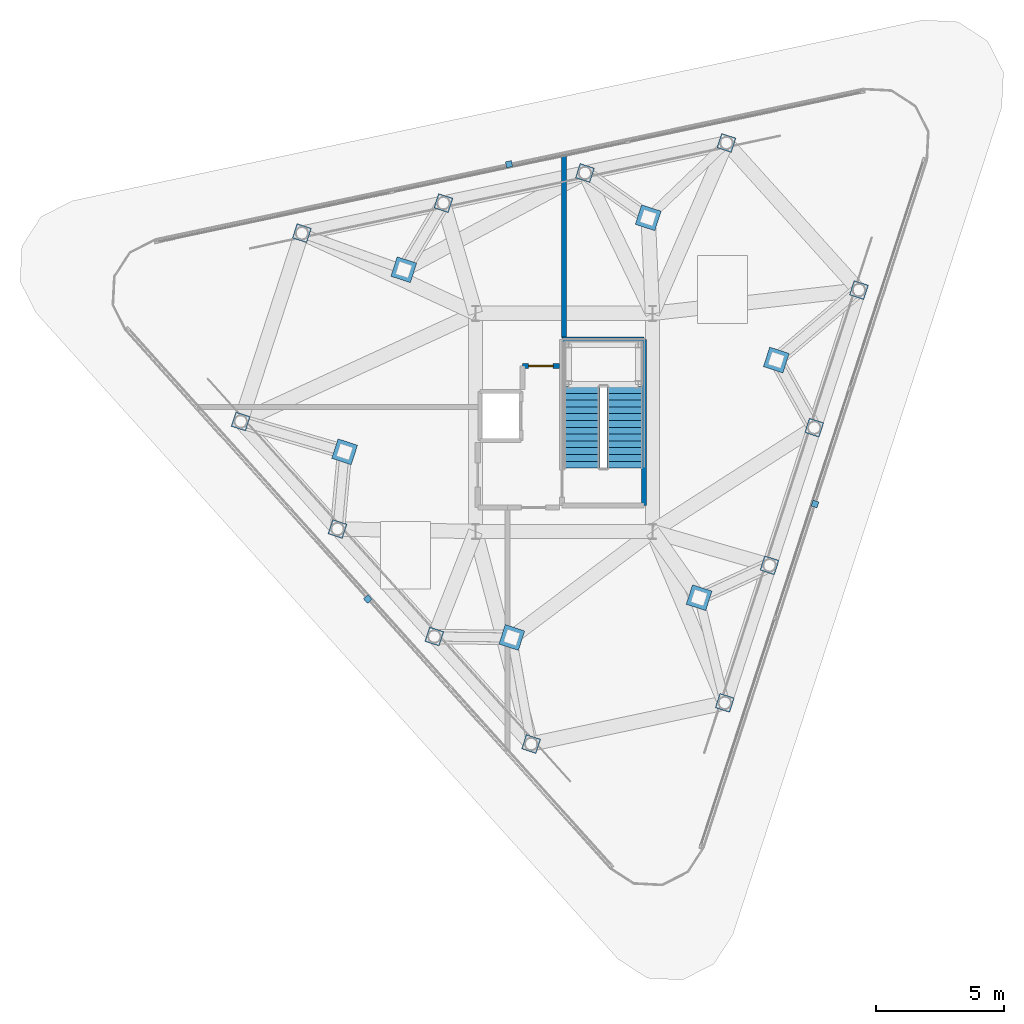
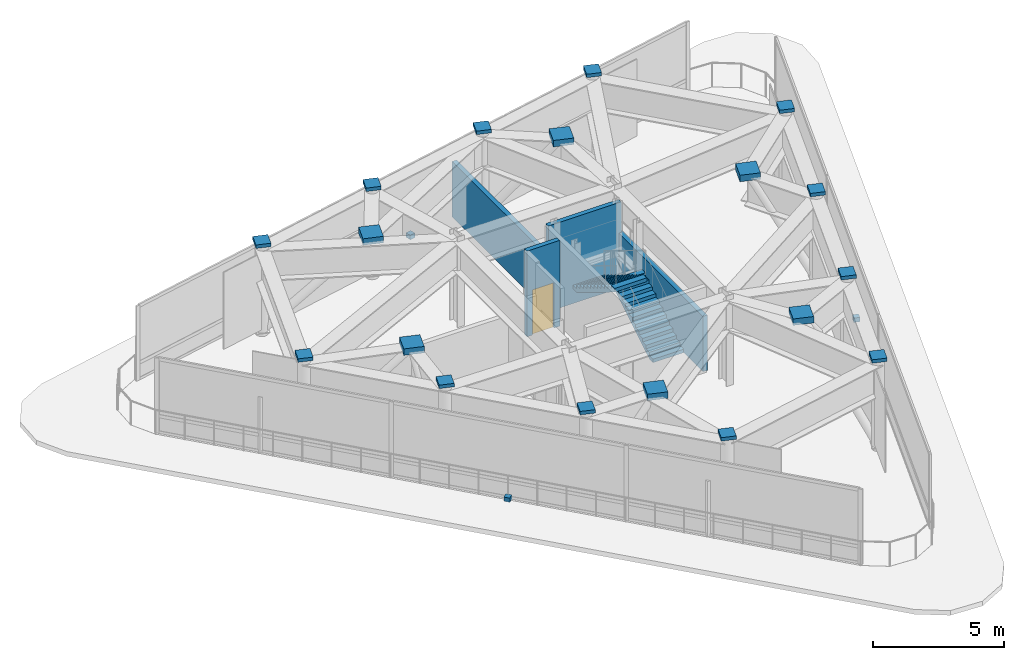
# One storey, part 4 of 6: 21 discrete accessories, 4 walls, 2 stair flights, 1 door, 1 opening, 1 element without a shape of its own.
"""IFC4 building model written with IfcOpenShell, lengths in metres."""

from ifc_helpers import new_model, si_unit, direction, frame, frame_2d, origin, origin_2d, place, context, subcontext, project, spatial, polyline, rectangle, outline, extrude, material, layer, layer_set, type_object, element, fill, aggregate, save


model = new_model("IFC4")

# Units and contexts
model_context = context("Model", 3, precision=1e-05, world=origin(), true_north=direction((0.0, 1.0)))
body_context = subcontext(model_context, "Body", "Model", "MODEL_VIEW")
ifc_project = project(units=[si_unit("LENGTHUNIT", "METRE"), si_unit("AREAUNIT", "SQUARE_METRE"), si_unit("VOLUMEUNIT", "CUBIC_METRE"), si_unit("PLANEANGLEUNIT", "RADIAN"), si_unit("MASSUNIT", "GRAM", prefix="KILO")], contexts=[model_context])

# Site, building, storey
site_placement = place(None, origin())
site = spatial("IfcSite", under=ifc_project, at=site_placement, CompositionType="ELEMENT")
building_placement = place(site_placement, origin())
building = spatial("IfcBuilding", under=site, at=building_placement, Name="Terralouvre Media Tower", CompositionType="ELEMENT")
storey_placement = place(building_placement, frame((0.0, 0.0, 326.60009765625)))
storey = spatial("IfcBuildingStorey", under=building, at=storey_placement, Name="L84", CompositionType="ELEMENT", Elevation=326.60009765625)

# Walls
ifc_material_1 = material(Name="Fire-rated gypsum board drywall partition")
ifc_layer = layer(ifc_material_1, 0.199951171875, Name="Fire-Rated Shaft and Lobby Partition FW-200")
ifc_layer_set = layer_set([ifc_layer], Name="Fire-rated gypsum board drywall partition")
wall_type = type_object("IfcWallType", Name="Fire-Rated Shaft and Lobby Partition FW-200", PredefinedType="SOLIDWALL", material=ifc_layer_set)
wall_1_placement = place(storey_placement, frame((3.1201171875, -3.239990234375, 0.0), z_axis=(0.0, 0.0, 1.0), x_axis=(0.0, 1.0, 0.0)))
element("IfcWall", 1, at=wall_1_placement, inside=storey, type_object=wall_type, Name="L84 ST05 Stair Shaft Wall E", PredefinedType="SOLIDWALL", context=body_context, shape_type="SweptSolid", body=[
    extrude(rectangle(XDim=6.47998046875, YDim=0.199951171875, at=frame_2d((3.239990234375, 0.0))), origin(), (0.0, 0.0, 1.0), 2.56494140625),
])
wall_2_placement = place(storey_placement, frame((3.1201171875, 3.239990234375, 0.0), z_axis=(0.0, 0.0, 1.0), x_axis=(-1.0, 0.0, 0.0)))
element("IfcWall", 2, at=wall_2_placement, inside=storey, type_object=wall_type, Name="L84 ST05 Stair Shaft Wall N", PredefinedType="SOLIDWALL", context=body_context, shape_type="SweptSolid", body=[
    extrude(rectangle(XDim=3.2001953125, YDim=0.199951171875, at=frame_2d((1.60009765625, 0.0))), origin(), (0.0, 0.0, 1.0), 3.97998046875),
])

# Wall, opening, door
wall_3_placement = place(storey_placement, frame((-0.179931640625, 2.199951171875, 0.0), z_axis=(0.0, 0.0, 1.0), x_axis=(-1.0, 0.0, 0.0)))
wall_3 = element("IfcWall", 3, at=wall_3_placement, inside=storey, type_object=wall_type, Name="L84 Interior Partition 004", PredefinedType="SOLIDWALL", context=body_context, shape_type="SweptSolid", body=[
    extrude(rectangle(XDim=1.440185546875, YDim=0.199951171875, at=frame_2d((0.72021484375, 0.0))), origin(), (0.0, 0.0, 1.0), 3.97998046875),
])
opening_placement = place(wall_3_placement, frame((0.2451171875, 0.0, 0.0)))
opening = element("IfcOpeningElement", 4, at=opening_placement, cuts=wall_3, Name="Opening FD-02-95X210", PredefinedType="OPENING", context=body_context, shape_type="SweptSolid", body=[
    extrude(rectangle(XDim=0.949951171875, YDim=2.10009765625, at=frame_2d((0.47509765625, 1.050048828125))), frame((0.0, 0.10986328125, 0.0), z_axis=(0.0, -1.0, 0.0), x_axis=(1.0, 0.0, 0.0)), (0.0, 0.0, 1.0), 0.219970703125),
])
ifc_material_2 = material(Name="Galvanised steel fire-resisting leaf", Category="steel")
door_type = type_object("IfcDoorType", Name="Plant and Riser Fire Door FD-02 (950x2100)", OperationType="NOTDEFINED", PredefinedType="DOOR", material=ifc_material_2)
door_placement = place(opening_placement, origin())
door = element("IfcDoor", 5, at=door_placement, inside=storey, type_object=door_type, Name="L84 L84 Upper Telemetry Mechanical Equipment Room Door", OperationType="SINGLE_SWING_RIGHT", OverallHeight=2.10009765625, OverallWidth=0.949951171875, PredefinedType="DOOR", context=body_context, shape_type="SweptSolid", body=[
    extrude(rectangle(XDim=0.949951171875, YDim=2.10009765625, at=frame_2d((0.47509765625, 1.050048828125))), frame((0.0, 0.02490234375, 0.0), z_axis=(0.0, -1.0, 0.0), x_axis=(1.0, 0.0, 0.0)), (0.0, 0.0, 1.0), 0.050048828125),
])
fill(opening, door)

# Wall
wall_4_placement = place(storey_placement, frame((0.0, 10.438720703125, 0.0), z_axis=(0.0, 0.0, 1.0), x_axis=(0.0, -1.0, 0.0)))
element("IfcWall", 6, at=wall_4_placement, inside=storey, type_object=wall_type, Name="L84 Interior Partition 008", PredefinedType="SOLIDWALL", context=body_context, shape_type="SweptSolid", body=[
    extrude(rectangle(XDim=7.11865234375, YDim=0.199951171875, at=frame_2d((3.559326171875, 0.0))), origin(), (0.0, 0.0, 1.0), 2.56494140625),
])

# Stair, stair flights
ifc_material_3 = material(Name="Concrete C45/55", Category="concrete")
stair_type = type_object("IfcStairType", Name="Dogleg Stair Assembly ST-05", PredefinedType="HALF_TURN_STAIR", material=ifc_material_3)
stair_placement = place(storey_placement, origin())
stair = element("IfcStair", 7, at=stair_placement, inside=storey, type_object=stair_type, Name="L84 Crown Maintenance Stair ST-05", PredefinedType="HALF_TURN_STAIR")
ifc_material_4 = material(Name="Concrete C45/55", Category="concrete")
stair_flight_type = type_object("IfcStairFlightType", Name="Reinforced Concrete Stair Flight SF-RC1", PredefinedType="STRAIGHT", material=ifc_material_4)
stair_flight_1_placement = place(storey_placement, frame((2.3798828125, -1.780029296875, 0.0), z_axis=(0.0, 0.0, 1.0), x_axis=(0.0, 1.0, 0.0)))
stair_flight_1 = element("IfcStairFlight", 8, at=stair_flight_1_placement, type_object=stair_flight_type, Name="ST-05 flight 1", NumberOfRisers=13, NumberOfTreads=12, PredefinedType="STRAIGHT", RiserHeight=0.161538462, TreadLength=0.265, context=body_context, shape_type="SweptSolid", body=[
    extrude(outline(polyline([(0.0, 0.0), (0.0, 0.16162109375), (0.264892578125, 0.16162109375), (0.264892578125, 0.322998046875), (0.530029296875, 0.322998046875), (0.530029296875, 0.484619140625), (0.794921875, 0.484619140625), (0.794921875, 0.646240234375), (1.06005859375, 0.646240234375), (1.06005859375, 0.8076171875), (1.324951171875, 0.8076171875), (1.324951171875, 0.96923828125), (1.590087890625, 0.96923828125), (1.590087890625, 1.130859375), (1.85498046875, 1.130859375), (1.85498046875, 1.292236328125), (2.1201171875, 1.292236328125), (2.1201171875, 1.453857421875), (2.385009765625, 1.453857421875), (2.385009765625, 1.615478515625), (2.64990234375, 1.615478515625), (2.64990234375, 1.77685546875), (2.9150390625, 1.77685546875), (2.9150390625, 1.9384765625), (3.179931640625, 1.9384765625), (3.179931640625, 2.10009765625), (3.179931640625, 1.762939453125), (0.2880859375, 0.0), (0.0, 0.0)])), frame((0.0, 0.699951171875, 0.0), z_axis=(0.0, -1.0, 0.0), x_axis=(1.0, 0.0, 0.0)), (0.0, 0.0, 1.0), 1.39990234375),
])
stair_flight_2_placement = place(storey_placement, frame((0.699951171875, 1.39990234375, 2.099853515625), z_axis=(0.0, 0.0, 1.0), x_axis=(0.0, -1.0, 0.0)))
stair_flight_2 = element("IfcStairFlight", 9, at=stair_flight_2_placement, type_object=stair_flight_type, Name="ST-05 flight 2", NumberOfRisers=13, NumberOfTreads=12, PredefinedType="STRAIGHT", RiserHeight=0.161538462, TreadLength=0.265, context=body_context, shape_type="SweptSolid", body=[
    extrude(outline(polyline([(0.0, 0.0), (0.0, 0.16162109375), (0.264892578125, 0.16162109375), (0.264892578125, 0.322998046875), (0.530029296875, 0.322998046875), (0.530029296875, 0.484619140625), (0.794921875, 0.484619140625), (0.794921875, 0.646240234375), (1.06005859375, 0.646240234375), (1.06005859375, 0.8076171875), (1.324951171875, 0.8076171875), (1.324951171875, 0.96923828125), (1.590087890625, 0.96923828125), (1.590087890625, 1.130859375), (1.85498046875, 1.130859375), (1.85498046875, 1.292236328125), (2.1201171875, 1.292236328125), (2.1201171875, 1.453857421875), (2.385009765625, 1.453857421875), (2.385009765625, 1.615478515625), (2.64990234375, 1.615478515625), (2.64990234375, 1.77685546875), (2.9150390625, 1.77685546875), (2.9150390625, 1.9384765625), (3.179931640625, 1.9384765625), (3.179931640625, 2.10009765625), (3.179931640625, 1.762939453125), (0.2880859375, 0.0), (0.0, 0.0)])), frame((0.0, 0.699951171875, 0.0), z_axis=(0.0, -1.0, 0.0), x_axis=(1.0, 0.0, 0.0)), (0.0, 0.0, 1.0), 1.39990234375),
])
aggregate(stair, [stair_flight_1, stair_flight_2])

# Discrete accessories
ifc_material_5 = material(Name="Structural steel S460M", Category="steel")
discrete_accessory_type_1 = type_object("IfcDiscreteAccessoryType", Name="Hollow Steel Section Welded End Cap EC-01", PredefinedType="BRACKET", material=ifc_material_5)
for number, where, z_axis, x_axis, name in (
    (10, (6.269287109375, -10.932373046875, 4.16015625), (0.0, 0.0, 1.0), (0.309016994375, 0.951056516295, 0.0), "L84 Hollow Column Welded End Cap PC11"),
    (11, (8.011962890625, -5.568359375, 4.16015625), (0.0, 0.0, 1.0), (0.309016994375, 0.951056516295, 0.0), "L84 Hollow Column Welded End Cap PC12"),
    (12, (9.7548828125, -0.204345703125, 4.16015625), (0.0, 0.0, 1.0), (0.309016994375, 0.951056516295, 0.0), "L84 Hollow Column Welded End Cap PC13"),
    (13, (11.497802734375, 5.159423828125, 4.16015625), (0.0, 0.0, 1.0), (0.309016994375, 0.951056516295, 0.0), "L84 Hollow Column Welded End Cap PC14"),
    (14, (6.3330078125, 10.8955078125, 4.16015625), (0.0, 0.0, 1.0), (0.309016994375, 0.951056516295, 0.0), "L84 Hollow Column Welded End Cap PC21"),
    (15, (0.81640625, 9.722900390625, 4.16015625), (0.0, 0.0, 1.0), (0.309016994375, 0.951056516295, 0.0), "L84 Hollow Column Welded End Cap PC22"),
    (16, (-4.700439453125, 8.55029296875, 4.16015625), (0.0, 0.0, 1.0), (0.309016994375, 0.951056516295, 0.0), "L84 Hollow Column Welded End Cap PC23"),
    (17, (-10.21728515625, 7.377685546875, 4.16015625), (0.0, 0.0, 1.0), (0.309016994375, 0.951056516295, 0.0), "L84 Hollow Column Welded End Cap PC24"),
    (18, (-12.602294921875, 0.036865234375, 4.16015625), (0.0, 0.0, 1.0), (0.309016994375, 0.951056516295, 0.0), "L84 Hollow Column Welded End Cap PC31"),
    (19, (-8.828369140625, -4.154541015625, 4.16015625), (0.0, 0.0, 1.0), (0.309016994375, 0.951056516295, 0.0), "L84 Hollow Column Welded End Cap PC32"),
    (20, (-5.054443359375, -8.345703125, 4.16015625), (0.0, 0.0, 1.0), (0.309016994375, 0.951056516295, 0.0), "L84 Hollow Column Welded End Cap PC33"),
    (21, (-1.280517578125, -12.537109375, 4.16015625), (0.0, 0.0, 1.0), (0.309016994375, 0.951056516295, 0.0), "L84 Hollow Column Welded End Cap PC34"),
):
    element("IfcDiscreteAccessory", number, at=place(storey_placement, frame(where, z_axis=z_axis, x_axis=x_axis)), inside=storey, type_object=discrete_accessory_type_1, Name=name, PredefinedType="BRACKET", context=body_context, shape_type="SweptSolid", body=[
        extrude(rectangle(XDim=0.587890625, YDim=0.587890625, at=origin_2d()), origin(), (0.0, 0.0, 1.0), 0.159912109375),
    ])
for number, where, z_axis, x_axis, name in (
    (22, (5.267578125, -6.8330078125, 3.8701171875), (0.0, 0.0, 1.0), (0.309016994375, 0.951056516295, 0.0), "L84 Crown Rib Top Welded End Cap 01"),
    (23, (8.27783203125, 2.431884765625, 3.8701171875), (0.0, 0.0, 1.0), (0.309016994375, 0.951056516295, 0.0), "L84 Crown Rib Top Welded End Cap 03"),
    (24, (3.28369140625, 7.978271484375, 3.8701171875), (0.0, 0.0, 1.0), (0.309016994375, 0.951056516295, 0.0), "L84 Crown Rib Top Welded End Cap 05"),
    (25, (-6.244873046875, 5.952880859375, 3.8701171875), (0.0, 0.0, 1.0), (0.309016994375, 0.951056516295, 0.0), "L84 Crown Rib Top Welded End Cap 07"),
    (26, (-8.55126953125, -1.145263671875, 3.8701171875), (0.0, 0.0, 1.0), (0.309016994375, 0.951056516295, 0.0), "L84 Crown Rib Top Welded End Cap 09"),
    (27, (-2.032958984375, -8.384765625, 3.8701171875), (0.0, 0.0, 1.0), (0.309016994375, 0.951056516295, 0.0), "L84 Crown Rib Top Welded End Cap 11"),
):
    element("IfcDiscreteAccessory", number, at=place(storey_placement, frame(where, z_axis=z_axis, x_axis=x_axis)), inside=storey, type_object=discrete_accessory_type_1, Name=name, PredefinedType="BRACKET", context=body_context, shape_type="SweptSolid", body=[
        extrude(rectangle(XDim=0.800048828125, YDim=0.800048828125, at=origin_2d()), origin(), (0.0, 0.0, 1.0), 0.300048828125),
    ])
ifc_material_6 = material(Name="Anodised extruded aluminium 6063-T6", Category="aluminium")
discrete_accessory_type_2 = type_object("IfcDiscreteAccessoryType", Name="Mullion Stand-Off Baguette Fixing Bracket BK-01", PredefinedType="BRACKET", material=ifc_material_6)
for number, where, z_axis, x_axis, name in (
    (28, (9.786865234375, -3.179931640625, -0.02001953125), (0.0, 0.0, 1.0), (0.3090168573, 0.951056560834, 0.0), "L84 Crown Panel Base Bracket F0"),
    (29, (-2.1396484375, 10.065673828125, -0.02001953125), (0.0, 0.0, 1.0), (-0.978147555117, -0.207911905429, 0.0), "L84 Crown Panel Base Bracket F1"),
    (30, (-7.6474609375, -6.8857421875, -0.02001953125), (0.0, 0.0, 1.0), (0.66913073697, -0.743144707875, 0.0), "L84 Crown Panel Base Bracket F2"),
):
    element("IfcDiscreteAccessory", number, at=place(storey_placement, frame(where, z_axis=z_axis, x_axis=x_axis)), inside=storey, type_object=discrete_accessory_type_2, Name=name, PredefinedType="BRACKET", context=body_context, shape_type="SweptSolid", body=[
        extrude(rectangle(XDim=0.239990234375, YDim=0.239990234375, at=origin_2d()), origin(), (0.0, 0.0, 1.0), 0.199951171875),
    ])

save(model, "model.ifc")
